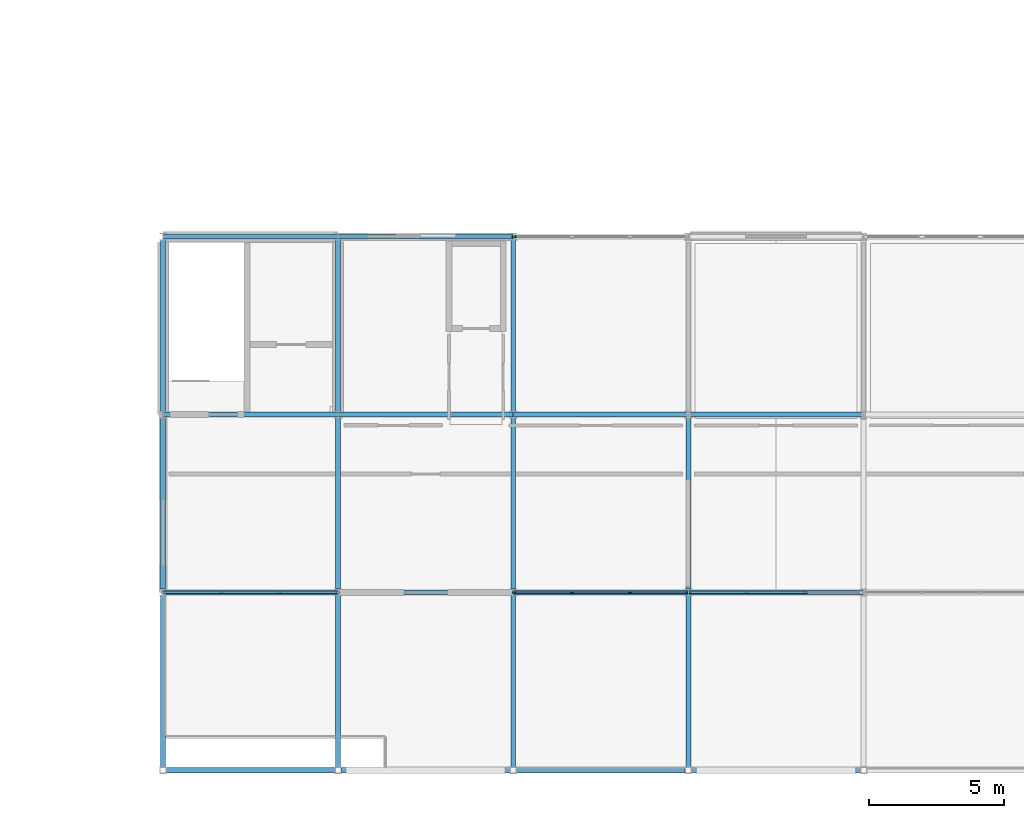
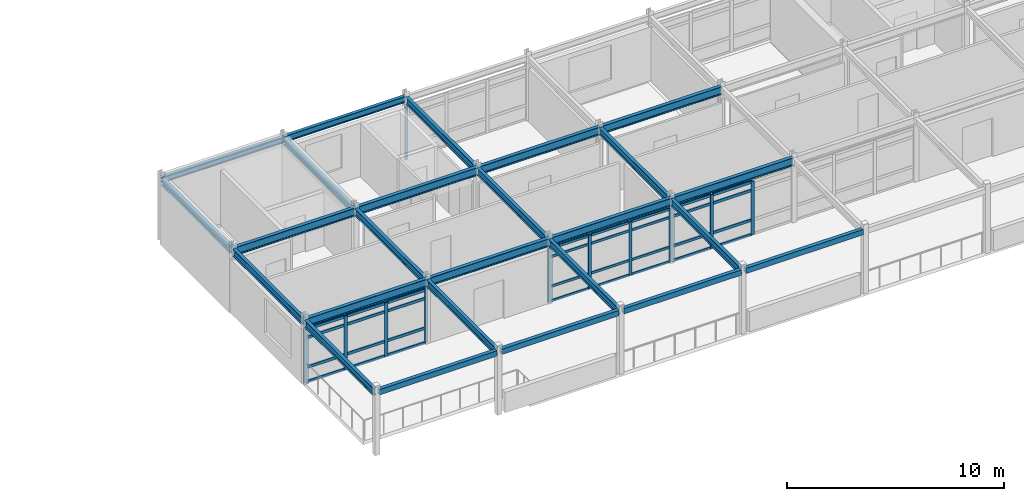
# One storey, part 5 of 20: 44 members, 25 beams, 4 elements without a shape of their own.
"""IFC4 building model written with IfcOpenShell, lengths in metres."""

from ifc_helpers import new_model, si_unit, direction, frame, origin, origin_2d, place, context, subcontext, project, spatial, rectangle, hollow_rectangle, i_section, extrude, material, layer, layer_set, material_profile, profile_set, type_object, element, aggregate, save


model = new_model("IFC4")

# Units and contexts
model_context = context("Model", 3, precision=1e-05, world=origin(), true_north=direction((0.0, 1.0)))
body_context = subcontext(model_context, "Body", "Model", "MODEL_VIEW")
ifc_project = project(units=[si_unit("LENGTHUNIT", "METRE"), si_unit("AREAUNIT", "SQUARE_METRE"), si_unit("VOLUMEUNIT", "CUBIC_METRE"), si_unit("PLANEANGLEUNIT", "RADIAN"), si_unit("MASSUNIT", "GRAM", prefix="KILO")], contexts=[model_context])

# Site, building, storey
site_placement = place(None, origin())
site = spatial("IfcSite", under=ifc_project, at=site_placement, CompositionType="ELEMENT")
building_placement = place(site_placement, origin())
building = spatial("IfcBuilding", under=site, at=building_placement, Name="Trelmorton Wharf Fire Station", CompositionType="ELEMENT")
storey_placement = place(building_placement, frame((0.0, 0.0, 21.300048828125)))
storey = spatial("IfcBuildingStorey", under=building, at=storey_placement, Name="L05", CompositionType="ELEMENT", Elevation=21.300048828125)

# Beams
ifc_material_1 = material(Name="Steel Grade 350", Category="steel")
ifc_material_profile_1 = material_profile(ifc_material_1, i_section(OverallWidth=0.177978515625, OverallDepth=0.406005859375, WebThickness=0.0078125, FlangeThickness=0.0126953125, FilletRadius=0.011474609375, at=origin_2d()), Name="410UB59.7")
ifc_profile_set_1 = profile_set([ifc_material_profile_1], Name="Steel Grade 350")
beam_type_1 = type_object("IfcBeamType", Name="BM_410UB60", PredefinedType="BEAM", material=ifc_profile_set_1)
beam_1_placement = place(storey_placement, frame((110.5, 7.9208984375, 3.427001953125), z_axis=(0.0, 1.0, 0.0), x_axis=(-1.0, 0.0, 0.0)))
element("IfcBeam", 1, at=beam_1_placement, inside=storey, type_object=beam_type_1, Name="BM-L05-1169", PredefinedType="BEAM", context=body_context, shape_type="SweptSolid", body=[
    extrude(i_section(OverallWidth=0.177978515625, OverallDepth=0.406005859375, WebThickness=0.0078125, FlangeThickness=0.0126953125, FilletRadius=0.011474609375, at=origin_2d()), origin(), (0.0, 0.0, 1.0), 6.356201171875),
])
for number, where, z_axis, x_axis, name in (
    (2, (110.5, 14.52294921875, 3.427001953125), (0.0, 1.0, 0.0), (-1.0, 0.0, 0.0), "BM-L05-1170"),
    (3, (110.5, 21.123046875, 3.427001953125), (0.0, 1.0, 0.0), (-1.0, 0.0, 0.0), "BM-L05-1171"),
):
    element("IfcBeam", number, at=place(storey_placement, frame(where, z_axis=z_axis, x_axis=x_axis)), inside=storey, type_object=beam_type_1, Name=name, PredefinedType="BEAM", context=body_context, shape_type="SweptSolid", body=[
        extrude(i_section(OverallWidth=0.177978515625, OverallDepth=0.406005859375, WebThickness=0.0078125, FlangeThickness=0.0126953125, FilletRadius=0.011474609375, at=origin_2d()), origin(), (0.0, 0.0, 1.0), 6.35400390625),
    ])
beam_2_placement = place(storey_placement, frame((117.0, 7.9208984375, 3.427001953125), z_axis=(0.0, 1.0, 0.0), x_axis=(-1.0, 0.0, 0.0)))
element("IfcBeam", 4, at=beam_2_placement, inside=storey, type_object=beam_type_1, Name="BM-L05-1172", PredefinedType="BEAM", context=body_context, shape_type="SweptSolid", body=[
    extrude(i_section(OverallWidth=0.177978515625, OverallDepth=0.406005859375, WebThickness=0.0078125, FlangeThickness=0.0126953125, FilletRadius=0.011474609375, at=origin_2d()), origin(), (0.0, 0.0, 1.0), 6.356201171875),
])
for number, where, z_axis, x_axis, name in (
    (5, (117.0, 14.52294921875, 3.427001953125), (0.0, 1.0, 0.0), (-1.0, 0.0, 0.0), "BM-L05-1173"),
    (6, (117.0, 21.123046875, 3.427001953125), (0.0, 1.0, 0.0), (-1.0, 0.0, 0.0), "BM-L05-1174"),
):
    element("IfcBeam", number, at=place(storey_placement, frame(where, z_axis=z_axis, x_axis=x_axis)), inside=storey, type_object=beam_type_1, Name=name, PredefinedType="BEAM", context=body_context, shape_type="SweptSolid", body=[
        extrude(i_section(OverallWidth=0.177978515625, OverallDepth=0.406005859375, WebThickness=0.0078125, FlangeThickness=0.0126953125, FilletRadius=0.011474609375, at=origin_2d()), origin(), (0.0, 0.0, 1.0), 6.35400390625),
    ])
beam_3_placement = place(storey_placement, frame((123.5, 7.9208984375, 3.427001953125), z_axis=(0.0, 1.0, 0.0), x_axis=(-1.0, 0.0, 0.0)))
element("IfcBeam", 7, at=beam_3_placement, inside=storey, type_object=beam_type_1, Name="BM-L05-1175", PredefinedType="BEAM", context=body_context, shape_type="SweptSolid", body=[
    extrude(i_section(OverallWidth=0.177978515625, OverallDepth=0.406005859375, WebThickness=0.0078125, FlangeThickness=0.0126953125, FilletRadius=0.011474609375, at=origin_2d()), origin(), (0.0, 0.0, 1.0), 6.356201171875),
])
for number, where, z_axis, x_axis, name in (
    (8, (123.5, 14.52294921875, 3.427001953125), (0.0, 1.0, 0.0), (-1.0, 0.0, 0.0), "BM-L05-1176"),
    (9, (123.5, 21.123046875, 3.427001953125), (0.0, 1.0, 0.0), (-1.0, 0.0, 0.0), "BM-L05-1177"),
):
    element("IfcBeam", number, at=place(storey_placement, frame(where, z_axis=z_axis, x_axis=x_axis)), inside=storey, type_object=beam_type_1, Name=name, PredefinedType="BEAM", context=body_context, shape_type="SweptSolid", body=[
        extrude(i_section(OverallWidth=0.177978515625, OverallDepth=0.406005859375, WebThickness=0.0078125, FlangeThickness=0.0126953125, FilletRadius=0.011474609375, at=origin_2d()), origin(), (0.0, 0.0, 1.0), 6.35400390625),
    ])
beam_4_placement = place(storey_placement, frame((130.0, 7.9208984375, 3.427001953125), z_axis=(0.0, 1.0, 0.0), x_axis=(-1.0, 0.0, 0.0)))
element("IfcBeam", 10, at=beam_4_placement, inside=storey, type_object=beam_type_1, Name="BM-L05-1178", PredefinedType="BEAM", context=body_context, shape_type="SweptSolid", body=[
    extrude(i_section(OverallWidth=0.177978515625, OverallDepth=0.406005859375, WebThickness=0.0078125, FlangeThickness=0.0126953125, FilletRadius=0.011474609375, at=origin_2d()), origin(), (0.0, 0.0, 1.0), 6.356201171875),
])
beam_5_placement = place(storey_placement, frame((130.0, 14.52294921875, 3.427001953125), z_axis=(0.0, 1.0, 0.0), x_axis=(-1.0, 0.0, 0.0)))
element("IfcBeam", 11, at=beam_5_placement, inside=storey, type_object=beam_type_1, Name="BM-L05-1179", PredefinedType="BEAM", context=body_context, shape_type="SweptSolid", body=[
    extrude(i_section(OverallWidth=0.177978515625, OverallDepth=0.406005859375, WebThickness=0.0078125, FlangeThickness=0.0126953125, FilletRadius=0.011474609375, at=origin_2d()), origin(), (0.0, 0.0, 1.0), 6.35400390625),
])
ifc_material_profile_2 = material_profile(ifc_material_1, i_section(OverallWidth=0.18994140625, OverallDepth=0.45703125, WebThickness=0.009033203125, FlangeThickness=0.014404296875, FilletRadius=0.011474609375, at=origin_2d()), Name="460UB74.6")
ifc_profile_set_2 = profile_set([ifc_material_profile_2], Name="Steel Grade 350")
beam_type_2 = type_object("IfcBeamType", Name="BM_460UB75", PredefinedType="BEAM", material=ifc_profile_set_2)
for number, where, z_axis, x_axis, name in (
    (12, (110.50390625, 14.39990234375, 3.4013671875), (1.0, 0.0, 0.0), (0.0, 1.0, 0.0), "BM-L05-1131"),
    (13, (117.00390625, 14.39990234375, 3.4013671875), (1.0, 0.0, 0.0), (0.0, 1.0, 0.0), "BM-L05-1132"),
    (14, (123.50390625, 14.39990234375, 3.4013671875), (1.0, 0.0, 0.0), (0.0, 1.0, 0.0), "BM-L05-1133"),
    (15, (130.00390625, 14.39990234375, 3.4013671875), (1.0, 0.0, 0.0), (0.0, 1.0, 0.0), "BM-L05-1134"),
    (16, (110.50390625, 21.0, 3.4013671875), (1.0, 0.0, 0.0), (0.0, 1.0, 0.0), "BM-L05-1138"),
    (17, (117.00390625, 21.0, 3.4013671875), (1.0, 0.0, 0.0), (0.0, 1.0, 0.0), "BM-L05-1139"),
    (18, (123.50390625, 21.0, 3.4013671875), (1.0, 0.0, 0.0), (0.0, 1.0, 0.0), "BM-L05-1140"),
    (19, (130.00390625, 21.0, 3.4013671875), (1.0, 0.0, 0.0), (0.0, 1.0, 0.0), "BM-L05-1141"),
):
    element("IfcBeam", number, at=place(storey_placement, frame(where, z_axis=z_axis, x_axis=x_axis)), inside=storey, type_object=beam_type_2, Name=name, PredefinedType="BEAM", context=body_context, shape_type="SweptSolid", body=[
        extrude(i_section(OverallWidth=0.18994140625, OverallDepth=0.45703125, WebThickness=0.009033203125, FlangeThickness=0.014404296875, FilletRadius=0.011474609375, at=origin_2d()), origin(), (0.0, 0.0, 1.0), 6.4921875),
    ])
ifc_material_2 = material(Name="Signal-red architectural steel Grade 350", Category="steel")
ifc_material_profile_3 = material_profile(ifc_material_2, hollow_rectangle(XDim=0.199951171875, YDim=0.300048828125, WallThickness=0.012451171875, at=origin_2d()), Name="300x200x12.5RHS")
ifc_profile_set_3 = profile_set([ifc_material_profile_3], Name="Signal-red architectural steel Grade 350")
beam_type_3 = type_object("IfcBeamType", Name="BM_RED_300RHS", PredefinedType="BEAM", material=ifc_profile_set_3)
for number, where, z_axis, x_axis, name in (
    (20, (110.62109375, 7.800048828125, 3.47998046875), (1.0, 0.0, 0.0), (0.0, 1.0, 0.0), "BM-L05-1124"),
    (21, (117.12109375, 7.800048828125, 3.47998046875), (1.0, 0.0, 0.0), (0.0, 1.0, 0.0), "BM-L05-1125"),
    (22, (123.62109375, 7.800048828125, 3.47998046875), (1.0, 0.0, 0.0), (0.0, 1.0, 0.0), "BM-L05-1126"),
    (23, (130.12109375, 7.800048828125, 3.47998046875), (1.0, 0.0, 0.0), (0.0, 1.0, 0.0), "BM-L05-1127"),
):
    element("IfcBeam", number, at=place(storey_placement, frame(where, z_axis=z_axis, x_axis=x_axis)), inside=storey, type_object=beam_type_3, Name=name, PredefinedType="BEAM", context=body_context, shape_type="SweptSolid", body=[
        extrude(hollow_rectangle(XDim=0.199951171875, YDim=0.300048828125, WallThickness=0.012451171875, at=origin_2d()), origin(), (0.0, 0.0, 1.0), 6.2578125),
    ])

# Curtain wall, members
ifc_material_3 = material(Name="Anodised aluminium AW-6063", Category="aluminium")
ifc_layer_1 = layer(ifc_material_3, 0.159912109375)
ifc_layer_set_1 = layer_set([ifc_layer_1], Name="Anodised aluminium AW-6063")
curtain_wall_type_1 = type_object("IfcCurtainWallType", Name="CW_CHIC_A", PredefinedType="USERDEFINED", material=ifc_layer_set_1)
curtain_wall_1_placement = place(storey_placement, origin())
curtain_wall_1 = element("IfcCurtainWall", 24, at=curtain_wall_1_placement, inside=storey, type_object=curtain_wall_type_1, Name="CW-V5-L05-083", ObjectType="CHICAGO BAY CURTAIN WALL", PredefinedType="USERDEFINED")
ifc_material_profile_4 = material_profile(ifc_material_3, rectangle(XDim=0.06494140625, YDim=0.159912109375, at=origin_2d()), Name="ALU-65x160")
ifc_profile_set_4 = profile_set([ifc_material_profile_4], Name="Anodised aluminium AW-6063")
member_type_1 = type_object("IfcMemberType", Name="CWM_65x160", PredefinedType="MULLION", material=ifc_profile_set_4)
member_1_placement = place(storey_placement, frame((129.965087890625, 14.39990234375, 0.0), z_axis=(0.0, 0.0, 1.0), x_axis=(0.0, -1.0, 0.0)))
member_1 = element("IfcMember", 25, at=member_1_placement, type_object=member_type_1, Name="CW1 mullion 1", PredefinedType="MULLION", context=body_context, shape_type="SweptSolid", body=[
    extrude(rectangle(XDim=0.06494140625, YDim=0.159912109375, at=origin_2d()), origin(), (0.0, 0.0, 1.0), 3.02001953125),
])
member_2_placement = place(storey_placement, frame((127.831787109375, 14.39990234375, 0.0), z_axis=(0.0, 0.0, 1.0), x_axis=(0.0, -1.0, 0.0)))
member_2 = element("IfcMember", 26, at=member_2_placement, type_object=member_type_1, Name="CW1 mullion 2", PredefinedType="MULLION", context=body_context, shape_type="SweptSolid", body=[
    extrude(rectangle(XDim=0.06494140625, YDim=0.159912109375, at=origin_2d()), origin(), (0.0, 0.0, 1.0), 3.02001953125),
])
member_3_placement = place(storey_placement, frame((125.668212890625, 14.39990234375, 0.0), z_axis=(0.0, 0.0, 1.0), x_axis=(0.0, -1.0, 0.0)))
member_3 = element("IfcMember", 27, at=member_3_placement, type_object=member_type_1, Name="CW1 mullion 3", PredefinedType="MULLION", context=body_context, shape_type="SweptSolid", body=[
    extrude(rectangle(XDim=0.06494140625, YDim=0.159912109375, at=origin_2d()), origin(), (0.0, 0.0, 1.0), 3.02001953125),
])
member_4_placement = place(storey_placement, frame((123.534912109375, 14.39990234375, 0.0), z_axis=(0.0, 0.0, 1.0), x_axis=(0.0, -1.0, 0.0)))
member_4 = element("IfcMember", 28, at=member_4_placement, type_object=member_type_1, Name="CW1 mullion 4", PredefinedType="MULLION", context=body_context, shape_type="SweptSolid", body=[
    extrude(rectangle(XDim=0.06494140625, YDim=0.159912109375, at=origin_2d()), origin(), (0.0, 0.0, 1.0), 3.02001953125),
])

# Curtain wall, member
ifc_layer_2 = layer(ifc_material_3, 0.14990234375)
ifc_layer_set_2 = layer_set([ifc_layer_2], Name="Anodised aluminium AW-6063")
curtain_wall_type_2 = type_object("IfcCurtainWallType", Name="CW_UNIT_A", PredefinedType="USERDEFINED", material=ifc_layer_set_2)
curtain_wall_2_placement = place(storey_placement, origin())
curtain_wall_2 = element("IfcCurtainWall", 29, at=curtain_wall_2_placement, inside=storey, type_object=curtain_wall_type_2, Name="CW-V5-L05-087", ObjectType="UNITISED CURTAIN WALL", PredefinedType="USERDEFINED")
member_5_placement = place(storey_placement, frame((123.534912109375, 27.60009765625, 0.0), z_axis=(0.0, 0.0, 1.0), x_axis=(0.0, 1.0, 0.0)))
member_5 = element("IfcMember", 30, at=member_5_placement, type_object=member_type_1, Name="CW3 mullion 1", PredefinedType="MULLION", context=body_context, shape_type="SweptSolid", body=[
    extrude(rectangle(XDim=0.06494140625, YDim=0.159912109375, at=origin_2d()), origin(), (0.0, 0.0, 1.0), 3.02001953125),
])
aggregate(curtain_wall_2, [member_5])

# Curtain wall, members
curtain_wall_3_placement = place(storey_placement, origin())
curtain_wall_3 = element("IfcCurtainWall", 31, at=curtain_wall_3_placement, inside=storey, type_object=curtain_wall_type_1, Name="CW-V5-L05-082", ObjectType="CHICAGO BAY CURTAIN WALL", PredefinedType="USERDEFINED")
ifc_material_profile_5 = material_profile(ifc_material_3, rectangle(XDim=0.074951171875, YDim=0.175048828125, at=origin_2d()), Name="ALU-75x175")
ifc_profile_set_5 = profile_set([ifc_material_profile_5], Name="Anodised aluminium AW-6063")
member_type_2 = type_object("IfcMemberType", Name="CWM_75x175", PredefinedType="MULLION", material=ifc_profile_set_5)
member_6_placement = place(storey_placement, frame((116.965087890625, 14.39990234375, 0.0), z_axis=(0.0, 0.0, 1.0), x_axis=(0.0, -1.0, 0.0)))
member_6 = element("IfcMember", 32, at=member_6_placement, type_object=member_type_2, Name="CW1 mullion 1", PredefinedType="MULLION", context=body_context, shape_type="SweptSolid", body=[
    extrude(rectangle(XDim=0.074951171875, YDim=0.175048828125, at=origin_2d()), origin(), (0.0, 0.0, 1.0), 3.02001953125),
])
member_7_placement = place(storey_placement, frame((114.831787109375, 14.39990234375, 0.0), z_axis=(0.0, 0.0, 1.0), x_axis=(0.0, -1.0, 0.0)))
member_7 = element("IfcMember", 33, at=member_7_placement, type_object=member_type_2, Name="CW1 mullion 2", PredefinedType="MULLION", context=body_context, shape_type="SweptSolid", body=[
    extrude(rectangle(XDim=0.074951171875, YDim=0.175048828125, at=origin_2d()), origin(), (0.0, 0.0, 1.0), 3.02001953125),
])
member_8_placement = place(storey_placement, frame((112.668212890625, 14.39990234375, 0.0), z_axis=(0.0, 0.0, 1.0), x_axis=(0.0, -1.0, 0.0)))
member_8 = element("IfcMember", 34, at=member_8_placement, type_object=member_type_2, Name="CW1 mullion 3", PredefinedType="MULLION", context=body_context, shape_type="SweptSolid", body=[
    extrude(rectangle(XDim=0.074951171875, YDim=0.175048828125, at=origin_2d()), origin(), (0.0, 0.0, 1.0), 3.02001953125),
])
member_9_placement = place(storey_placement, frame((110.534912109375, 14.39990234375, 0.0), z_axis=(0.0, 0.0, 1.0), x_axis=(0.0, -1.0, 0.0)))
member_9 = element("IfcMember", 35, at=member_9_placement, type_object=member_type_2, Name="CW1 mullion 4", PredefinedType="MULLION", context=body_context, shape_type="SweptSolid", body=[
    extrude(rectangle(XDim=0.074951171875, YDim=0.175048828125, at=origin_2d()), origin(), (0.0, 0.0, 1.0), 3.02001953125),
])

ifc_layer_3 = layer(ifc_material_3, 0.175048828125)
ifc_layer_set_3 = layer_set([ifc_layer_3], Name="Anodised aluminium AW-6063")
curtain_wall_type_3 = type_object("IfcCurtainWallType", Name="CW_CHIC_B", PredefinedType="USERDEFINED", material=ifc_layer_set_3)
curtain_wall_4_placement = place(storey_placement, origin())
curtain_wall_4 = element("IfcCurtainWall", 36, at=curtain_wall_4_placement, inside=storey, type_object=curtain_wall_type_3, Name="CW-V5-L05-084", ObjectType="CHICAGO BAY CURTAIN WALL", PredefinedType="USERDEFINED")
member_10_placement = place(storey_placement, frame((134.331787109375, 14.39990234375, 0.0), z_axis=(0.0, 0.0, 1.0), x_axis=(0.0, -1.0, 0.0)))
member_10 = element("IfcMember", 37, at=member_10_placement, type_object=member_type_2, Name="CW2 mullion 2", PredefinedType="MULLION", context=body_context, shape_type="SweptSolid", body=[
    extrude(rectangle(XDim=0.074951171875, YDim=0.175048828125, at=origin_2d()), origin(), (0.0, 0.0, 1.0), 3.02001953125),
])
member_11_placement = place(storey_placement, frame((132.168212890625, 14.39990234375, 0.0), z_axis=(0.0, 0.0, 1.0), x_axis=(0.0, -1.0, 0.0)))
member_11 = element("IfcMember", 38, at=member_11_placement, type_object=member_type_2, Name="CW2 mullion 3", PredefinedType="MULLION", context=body_context, shape_type="SweptSolid", body=[
    extrude(rectangle(XDim=0.074951171875, YDim=0.175048828125, at=origin_2d()), origin(), (0.0, 0.0, 1.0), 3.02001953125),
])
member_12_placement = place(storey_placement, frame((130.034912109375, 14.39990234375, 0.0), z_axis=(0.0, 0.0, 1.0), x_axis=(0.0, -1.0, 0.0)))
member_12 = element("IfcMember", 39, at=member_12_placement, type_object=member_type_2, Name="CW2 mullion 4", PredefinedType="MULLION", context=body_context, shape_type="SweptSolid", body=[
    extrude(rectangle(XDim=0.074951171875, YDim=0.175048828125, at=origin_2d()), origin(), (0.0, 0.0, 1.0), 3.02001953125),
])

# Member
ifc_material_profile_6 = material_profile(ifc_material_3, rectangle(XDim=0.06494140625, YDim=0.139892578125, at=origin_2d()), Name="ALU-65x140")
ifc_profile_set_6 = profile_set([ifc_material_profile_6], Name="Anodised aluminium AW-6063")
member_type_3 = type_object("IfcMemberType", Name="CWT_65x140", PredefinedType="USERDEFINED", material=ifc_profile_set_6)
member_13_placement = place(storey_placement, frame((129.93505859375, 14.39990234375, 0.030029296875), z_axis=(-1.0, 0.0, 0.0), x_axis=(0.0, -1.0, 0.0)))
member_13 = element("IfcMember", 40, at=member_13_placement, type_object=member_type_3, Name="CW1 transom 1.1", ObjectType="TRANSOM", PredefinedType="USERDEFINED", context=body_context, shape_type="SweptSolid", body=[
    extrude(rectangle(XDim=0.06494140625, YDim=0.139892578125, at=origin_2d()), origin(), (0.0, 0.0, 1.0), 2.073486328125),
])

member_14_placement = place(storey_placement, frame((129.93505859375, 14.39990234375, 0.849853515625), z_axis=(-1.0, 0.0, 0.0), x_axis=(0.0, -1.0, 0.0)))
member_14 = element("IfcMember", 41, at=member_14_placement, type_object=member_type_3, Name="CW1 transom 1.2", ObjectType="TRANSOM", PredefinedType="USERDEFINED", context=body_context, shape_type="SweptSolid", body=[
    extrude(rectangle(XDim=0.06494140625, YDim=0.139892578125, at=origin_2d()), origin(), (0.0, 0.0, 1.0), 2.073486328125),
])

member_15_placement = place(storey_placement, frame((129.93505859375, 14.39990234375, 2.52001953125), z_axis=(-1.0, 0.0, 0.0), x_axis=(0.0, -1.0, 0.0)))
member_15 = element("IfcMember", 42, at=member_15_placement, type_object=member_type_3, Name="CW1 transom 1.3", ObjectType="TRANSOM", PredefinedType="USERDEFINED", context=body_context, shape_type="SweptSolid", body=[
    extrude(rectangle(XDim=0.06494140625, YDim=0.139892578125, at=origin_2d()), origin(), (0.0, 0.0, 1.0), 2.073486328125),
])

member_16_placement = place(storey_placement, frame((129.93505859375, 14.39990234375, 2.989990234375), z_axis=(-1.0, 0.0, 0.0), x_axis=(0.0, -1.0, 0.0)))
member_16 = element("IfcMember", 43, at=member_16_placement, type_object=member_type_3, Name="CW1 transom 1.4", ObjectType="TRANSOM", PredefinedType="USERDEFINED", context=body_context, shape_type="SweptSolid", body=[
    extrude(rectangle(XDim=0.06494140625, YDim=0.139892578125, at=origin_2d()), origin(), (0.0, 0.0, 1.0), 2.073486328125),
])

member_17_placement = place(storey_placement, frame((127.8017578125, 14.39990234375, 0.030029296875), z_axis=(-1.0, 0.0, 0.0), x_axis=(0.0, -1.0, 0.0)))
member_17 = element("IfcMember", 44, at=member_17_placement, type_object=member_type_3, Name="CW1 transom 2.1", ObjectType="TRANSOM", PredefinedType="USERDEFINED", context=body_context, shape_type="SweptSolid", body=[
    extrude(rectangle(XDim=0.06494140625, YDim=0.139892578125, at=origin_2d()), origin(), (0.0, 0.0, 1.0), 2.103515625),
])

member_18_placement = place(storey_placement, frame((127.8017578125, 14.39990234375, 0.849853515625), z_axis=(-1.0, 0.0, 0.0), x_axis=(0.0, -1.0, 0.0)))
member_18 = element("IfcMember", 45, at=member_18_placement, type_object=member_type_3, Name="CW1 transom 2.2", ObjectType="TRANSOM", PredefinedType="USERDEFINED", context=body_context, shape_type="SweptSolid", body=[
    extrude(rectangle(XDim=0.06494140625, YDim=0.139892578125, at=origin_2d()), origin(), (0.0, 0.0, 1.0), 2.103515625),
])

member_19_placement = place(storey_placement, frame((127.8017578125, 14.39990234375, 2.52001953125), z_axis=(-1.0, 0.0, 0.0), x_axis=(0.0, -1.0, 0.0)))
member_19 = element("IfcMember", 46, at=member_19_placement, type_object=member_type_3, Name="CW1 transom 2.3", ObjectType="TRANSOM", PredefinedType="USERDEFINED", context=body_context, shape_type="SweptSolid", body=[
    extrude(rectangle(XDim=0.06494140625, YDim=0.139892578125, at=origin_2d()), origin(), (0.0, 0.0, 1.0), 2.103515625),
])

member_20_placement = place(storey_placement, frame((127.8017578125, 14.39990234375, 2.989990234375), z_axis=(-1.0, 0.0, 0.0), x_axis=(0.0, -1.0, 0.0)))
member_20 = element("IfcMember", 47, at=member_20_placement, type_object=member_type_3, Name="CW1 transom 2.4", ObjectType="TRANSOM", PredefinedType="USERDEFINED", context=body_context, shape_type="SweptSolid", body=[
    extrude(rectangle(XDim=0.06494140625, YDim=0.139892578125, at=origin_2d()), origin(), (0.0, 0.0, 1.0), 2.103515625),
])

member_21_placement = place(storey_placement, frame((125.638427734375, 14.39990234375, 0.030029296875), z_axis=(-1.0, 0.0, 0.0), x_axis=(0.0, -1.0, 0.0)))
member_21 = element("IfcMember", 48, at=member_21_placement, type_object=member_type_3, Name="CW1 transom 3.1", ObjectType="TRANSOM", PredefinedType="USERDEFINED", context=body_context, shape_type="SweptSolid", body=[
    extrude(rectangle(XDim=0.06494140625, YDim=0.139892578125, at=origin_2d()), origin(), (0.0, 0.0, 1.0), 2.073486328125),
])

member_22_placement = place(storey_placement, frame((125.638427734375, 14.39990234375, 0.849853515625), z_axis=(-1.0, 0.0, 0.0), x_axis=(0.0, -1.0, 0.0)))
member_22 = element("IfcMember", 49, at=member_22_placement, type_object=member_type_3, Name="CW1 transom 3.2", ObjectType="TRANSOM", PredefinedType="USERDEFINED", context=body_context, shape_type="SweptSolid", body=[
    extrude(rectangle(XDim=0.06494140625, YDim=0.139892578125, at=origin_2d()), origin(), (0.0, 0.0, 1.0), 2.073486328125),
])

member_23_placement = place(storey_placement, frame((125.638427734375, 14.39990234375, 2.52001953125), z_axis=(-1.0, 0.0, 0.0), x_axis=(0.0, -1.0, 0.0)))
member_23 = element("IfcMember", 50, at=member_23_placement, type_object=member_type_3, Name="CW1 transom 3.3", ObjectType="TRANSOM", PredefinedType="USERDEFINED", context=body_context, shape_type="SweptSolid", body=[
    extrude(rectangle(XDim=0.06494140625, YDim=0.139892578125, at=origin_2d()), origin(), (0.0, 0.0, 1.0), 2.073486328125),
])

member_24_placement = place(storey_placement, frame((125.638427734375, 14.39990234375, 2.989990234375), z_axis=(-1.0, 0.0, 0.0), x_axis=(0.0, -1.0, 0.0)))
member_24 = element("IfcMember", 51, at=member_24_placement, type_object=member_type_3, Name="CW1 transom 3.4", ObjectType="TRANSOM", PredefinedType="USERDEFINED", context=body_context, shape_type="SweptSolid", body=[
    extrude(rectangle(XDim=0.06494140625, YDim=0.139892578125, at=origin_2d()), origin(), (0.0, 0.0, 1.0), 2.073486328125),
])

aggregate(curtain_wall_1, [member_1, member_2, member_3, member_4, member_13, member_14, member_15, member_16, member_17, member_18, member_19, member_20, member_21, member_22, member_23, member_24])

ifc_material_profile_7 = material_profile(ifc_material_3, rectangle(XDim=0.074951171875, YDim=0.155029296875, at=origin_2d()), Name="ALU-75x155")
ifc_profile_set_7 = profile_set([ifc_material_profile_7], Name="Anodised aluminium AW-6063")
member_type_4 = type_object("IfcMemberType", Name="CWT_75x155", PredefinedType="USERDEFINED", material=ifc_profile_set_7)
member_25_placement = place(storey_placement, frame((116.93505859375, 14.39990234375, 0.030029296875), z_axis=(-1.0, 0.0, 0.0), x_axis=(0.0, -1.0, 0.0)))
member_25 = element("IfcMember", 52, at=member_25_placement, type_object=member_type_4, Name="CW1 transom 1.1", ObjectType="TRANSOM", PredefinedType="USERDEFINED", context=body_context, shape_type="SweptSolid", body=[
    extrude(rectangle(XDim=0.074951171875, YDim=0.155029296875, at=origin_2d()), origin(), (0.0, 0.0, 1.0), 2.073486328125),
])

member_26_placement = place(storey_placement, frame((116.93505859375, 14.39990234375, 0.849853515625), z_axis=(-1.0, 0.0, 0.0), x_axis=(0.0, -1.0, 0.0)))
member_26 = element("IfcMember", 53, at=member_26_placement, type_object=member_type_4, Name="CW1 transom 1.2", ObjectType="TRANSOM", PredefinedType="USERDEFINED", context=body_context, shape_type="SweptSolid", body=[
    extrude(rectangle(XDim=0.074951171875, YDim=0.155029296875, at=origin_2d()), origin(), (0.0, 0.0, 1.0), 2.073486328125),
])

member_27_placement = place(storey_placement, frame((116.93505859375, 14.39990234375, 2.52001953125), z_axis=(-1.0, 0.0, 0.0), x_axis=(0.0, -1.0, 0.0)))
member_27 = element("IfcMember", 54, at=member_27_placement, type_object=member_type_4, Name="CW1 transom 1.3", ObjectType="TRANSOM", PredefinedType="USERDEFINED", context=body_context, shape_type="SweptSolid", body=[
    extrude(rectangle(XDim=0.074951171875, YDim=0.155029296875, at=origin_2d()), origin(), (0.0, 0.0, 1.0), 2.073486328125),
])

member_28_placement = place(storey_placement, frame((116.93505859375, 14.39990234375, 2.989990234375), z_axis=(-1.0, 0.0, 0.0), x_axis=(0.0, -1.0, 0.0)))
member_28 = element("IfcMember", 55, at=member_28_placement, type_object=member_type_4, Name="CW1 transom 1.4", ObjectType="TRANSOM", PredefinedType="USERDEFINED", context=body_context, shape_type="SweptSolid", body=[
    extrude(rectangle(XDim=0.074951171875, YDim=0.155029296875, at=origin_2d()), origin(), (0.0, 0.0, 1.0), 2.073486328125),
])

member_29_placement = place(storey_placement, frame((114.8017578125, 14.39990234375, 0.030029296875), z_axis=(-1.0, 0.0, 0.0), x_axis=(0.0, -1.0, 0.0)))
member_29 = element("IfcMember", 56, at=member_29_placement, type_object=member_type_4, Name="CW1 transom 2.1", ObjectType="TRANSOM", PredefinedType="USERDEFINED", context=body_context, shape_type="SweptSolid", body=[
    extrude(rectangle(XDim=0.074951171875, YDim=0.155029296875, at=origin_2d()), origin(), (0.0, 0.0, 1.0), 2.103515625),
])

member_30_placement = place(storey_placement, frame((114.8017578125, 14.39990234375, 0.849853515625), z_axis=(-1.0, 0.0, 0.0), x_axis=(0.0, -1.0, 0.0)))
member_30 = element("IfcMember", 57, at=member_30_placement, type_object=member_type_4, Name="CW1 transom 2.2", ObjectType="TRANSOM", PredefinedType="USERDEFINED", context=body_context, shape_type="SweptSolid", body=[
    extrude(rectangle(XDim=0.074951171875, YDim=0.155029296875, at=origin_2d()), origin(), (0.0, 0.0, 1.0), 2.103515625),
])

member_31_placement = place(storey_placement, frame((114.8017578125, 14.39990234375, 2.52001953125), z_axis=(-1.0, 0.0, 0.0), x_axis=(0.0, -1.0, 0.0)))
member_31 = element("IfcMember", 58, at=member_31_placement, type_object=member_type_4, Name="CW1 transom 2.3", ObjectType="TRANSOM", PredefinedType="USERDEFINED", context=body_context, shape_type="SweptSolid", body=[
    extrude(rectangle(XDim=0.074951171875, YDim=0.155029296875, at=origin_2d()), origin(), (0.0, 0.0, 1.0), 2.103515625),
])

member_32_placement = place(storey_placement, frame((114.8017578125, 14.39990234375, 2.989990234375), z_axis=(-1.0, 0.0, 0.0), x_axis=(0.0, -1.0, 0.0)))
member_32 = element("IfcMember", 59, at=member_32_placement, type_object=member_type_4, Name="CW1 transom 2.4", ObjectType="TRANSOM", PredefinedType="USERDEFINED", context=body_context, shape_type="SweptSolid", body=[
    extrude(rectangle(XDim=0.074951171875, YDim=0.155029296875, at=origin_2d()), origin(), (0.0, 0.0, 1.0), 2.103515625),
])

member_33_placement = place(storey_placement, frame((112.638427734375, 14.39990234375, 0.030029296875), z_axis=(-1.0, 0.0, 0.0), x_axis=(0.0, -1.0, 0.0)))
member_33 = element("IfcMember", 60, at=member_33_placement, type_object=member_type_4, Name="CW1 transom 3.1", ObjectType="TRANSOM", PredefinedType="USERDEFINED", context=body_context, shape_type="SweptSolid", body=[
    extrude(rectangle(XDim=0.074951171875, YDim=0.155029296875, at=origin_2d()), origin(), (0.0, 0.0, 1.0), 2.073486328125),
])

member_34_placement = place(storey_placement, frame((112.638427734375, 14.39990234375, 0.849853515625), z_axis=(-1.0, 0.0, 0.0), x_axis=(0.0, -1.0, 0.0)))
member_34 = element("IfcMember", 61, at=member_34_placement, type_object=member_type_4, Name="CW1 transom 3.2", ObjectType="TRANSOM", PredefinedType="USERDEFINED", context=body_context, shape_type="SweptSolid", body=[
    extrude(rectangle(XDim=0.074951171875, YDim=0.155029296875, at=origin_2d()), origin(), (0.0, 0.0, 1.0), 2.073486328125),
])

member_35_placement = place(storey_placement, frame((112.638427734375, 14.39990234375, 2.52001953125), z_axis=(-1.0, 0.0, 0.0), x_axis=(0.0, -1.0, 0.0)))
member_35 = element("IfcMember", 62, at=member_35_placement, type_object=member_type_4, Name="CW1 transom 3.3", ObjectType="TRANSOM", PredefinedType="USERDEFINED", context=body_context, shape_type="SweptSolid", body=[
    extrude(rectangle(XDim=0.074951171875, YDim=0.155029296875, at=origin_2d()), origin(), (0.0, 0.0, 1.0), 2.073486328125),
])

member_36_placement = place(storey_placement, frame((112.638427734375, 14.39990234375, 2.989990234375), z_axis=(-1.0, 0.0, 0.0), x_axis=(0.0, -1.0, 0.0)))
member_36 = element("IfcMember", 63, at=member_36_placement, type_object=member_type_4, Name="CW1 transom 3.4", ObjectType="TRANSOM", PredefinedType="USERDEFINED", context=body_context, shape_type="SweptSolid", body=[
    extrude(rectangle(XDim=0.074951171875, YDim=0.155029296875, at=origin_2d()), origin(), (0.0, 0.0, 1.0), 2.073486328125),
])

aggregate(curtain_wall_3, [member_6, member_7, member_8, member_9, member_25, member_26, member_27, member_28, member_29, member_30, member_31, member_32, member_33, member_34, member_35, member_36])

member_37_placement = place(storey_placement, frame((134.3017578125, 14.39990234375, 0.030029296875), z_axis=(-1.0, 0.0, 0.0), x_axis=(0.0, -1.0, 0.0)))
member_37 = element("IfcMember", 64, at=member_37_placement, type_object=member_type_4, Name="CW2 transom 2.1", ObjectType="TRANSOM", PredefinedType="USERDEFINED", context=body_context, shape_type="SweptSolid", body=[
    extrude(rectangle(XDim=0.074951171875, YDim=0.155029296875, at=origin_2d()), origin(), (0.0, 0.0, 1.0), 2.103515625),
])

member_38_placement = place(storey_placement, frame((134.3017578125, 14.39990234375, 0.849853515625), z_axis=(-1.0, 0.0, 0.0), x_axis=(0.0, -1.0, 0.0)))
member_38 = element("IfcMember", 65, at=member_38_placement, type_object=member_type_4, Name="CW2 transom 2.2", ObjectType="TRANSOM", PredefinedType="USERDEFINED", context=body_context, shape_type="SweptSolid", body=[
    extrude(rectangle(XDim=0.074951171875, YDim=0.155029296875, at=origin_2d()), origin(), (0.0, 0.0, 1.0), 2.103515625),
])

member_39_placement = place(storey_placement, frame((134.3017578125, 14.39990234375, 2.52001953125), z_axis=(-1.0, 0.0, 0.0), x_axis=(0.0, -1.0, 0.0)))
member_39 = element("IfcMember", 66, at=member_39_placement, type_object=member_type_4, Name="CW2 transom 2.3", ObjectType="TRANSOM", PredefinedType="USERDEFINED", context=body_context, shape_type="SweptSolid", body=[
    extrude(rectangle(XDim=0.074951171875, YDim=0.155029296875, at=origin_2d()), origin(), (0.0, 0.0, 1.0), 2.103515625),
])

member_40_placement = place(storey_placement, frame((134.3017578125, 14.39990234375, 2.989990234375), z_axis=(-1.0, 0.0, 0.0), x_axis=(0.0, -1.0, 0.0)))
member_40 = element("IfcMember", 67, at=member_40_placement, type_object=member_type_4, Name="CW2 transom 2.4", ObjectType="TRANSOM", PredefinedType="USERDEFINED", context=body_context, shape_type="SweptSolid", body=[
    extrude(rectangle(XDim=0.074951171875, YDim=0.155029296875, at=origin_2d()), origin(), (0.0, 0.0, 1.0), 2.103515625),
])

member_41_placement = place(storey_placement, frame((132.138427734375, 14.39990234375, 0.030029296875), z_axis=(-1.0, 0.0, 0.0), x_axis=(0.0, -1.0, 0.0)))
member_41 = element("IfcMember", 68, at=member_41_placement, type_object=member_type_4, Name="CW2 transom 3.1", ObjectType="TRANSOM", PredefinedType="USERDEFINED", context=body_context, shape_type="SweptSolid", body=[
    extrude(rectangle(XDim=0.074951171875, YDim=0.155029296875, at=origin_2d()), origin(), (0.0, 0.0, 1.0), 2.073486328125),
])

member_42_placement = place(storey_placement, frame((132.138427734375, 14.39990234375, 0.849853515625), z_axis=(-1.0, 0.0, 0.0), x_axis=(0.0, -1.0, 0.0)))
member_42 = element("IfcMember", 69, at=member_42_placement, type_object=member_type_4, Name="CW2 transom 3.2", ObjectType="TRANSOM", PredefinedType="USERDEFINED", context=body_context, shape_type="SweptSolid", body=[
    extrude(rectangle(XDim=0.074951171875, YDim=0.155029296875, at=origin_2d()), origin(), (0.0, 0.0, 1.0), 2.073486328125),
])

member_43_placement = place(storey_placement, frame((132.138427734375, 14.39990234375, 2.52001953125), z_axis=(-1.0, 0.0, 0.0), x_axis=(0.0, -1.0, 0.0)))
member_43 = element("IfcMember", 70, at=member_43_placement, type_object=member_type_4, Name="CW2 transom 3.3", ObjectType="TRANSOM", PredefinedType="USERDEFINED", context=body_context, shape_type="SweptSolid", body=[
    extrude(rectangle(XDim=0.074951171875, YDim=0.155029296875, at=origin_2d()), origin(), (0.0, 0.0, 1.0), 2.073486328125),
])

member_44_placement = place(storey_placement, frame((132.138427734375, 14.39990234375, 2.989990234375), z_axis=(-1.0, 0.0, 0.0), x_axis=(0.0, -1.0, 0.0)))
member_44 = element("IfcMember", 71, at=member_44_placement, type_object=member_type_4, Name="CW2 transom 3.4", ObjectType="TRANSOM", PredefinedType="USERDEFINED", context=body_context, shape_type="SweptSolid", body=[
    extrude(rectangle(XDim=0.074951171875, YDim=0.155029296875, at=origin_2d()), origin(), (0.0, 0.0, 1.0), 2.073486328125),
])

aggregate(curtain_wall_4, [member_10, member_11, member_12, member_37, member_38, member_39, member_40, member_41, member_42, member_43, member_44])

# Beams
ifc_material_profile_8 = material_profile(ifc_material_1, i_section(OverallWidth=0.1708984375, OverallDepth=0.35595703125, WebThickness=0.00732421875, FlangeThickness=0.011474609375, FilletRadius=0.011474609375, at=origin_2d()), Name="360UB50.7")
ifc_profile_set_8 = profile_set([ifc_material_profile_8], Name="Steel Grade 350")
beam_type_4 = type_object("IfcBeamType", Name="SP_360UB51", PredefinedType="SPANDREL", material=ifc_profile_set_8)
for number, where, z_axis, x_axis, name in (
    (72, (110.50390625, 27.60009765625, 3.451904296875), (1.0, 0.0, 0.0), (0.0, 1.0, 0.0), "BM-L05-1145"),
    (73, (117.00390625, 27.60009765625, 3.451904296875), (1.0, 0.0, 0.0), (0.0, 1.0, 0.0), "BM-L05-1146"),
):
    element("IfcBeam", number, at=place(storey_placement, frame(where, z_axis=z_axis, x_axis=x_axis)), inside=storey, type_object=beam_type_4, Name=name, PredefinedType="SPANDREL", context=body_context, shape_type="SweptSolid", body=[
        extrude(i_section(OverallWidth=0.1708984375, OverallDepth=0.35595703125, WebThickness=0.00732421875, FlangeThickness=0.011474609375, FilletRadius=0.011474609375, at=origin_2d()), origin(), (0.0, 0.0, 1.0), 6.4921875),
    ])

save(model, "model.ifc")
